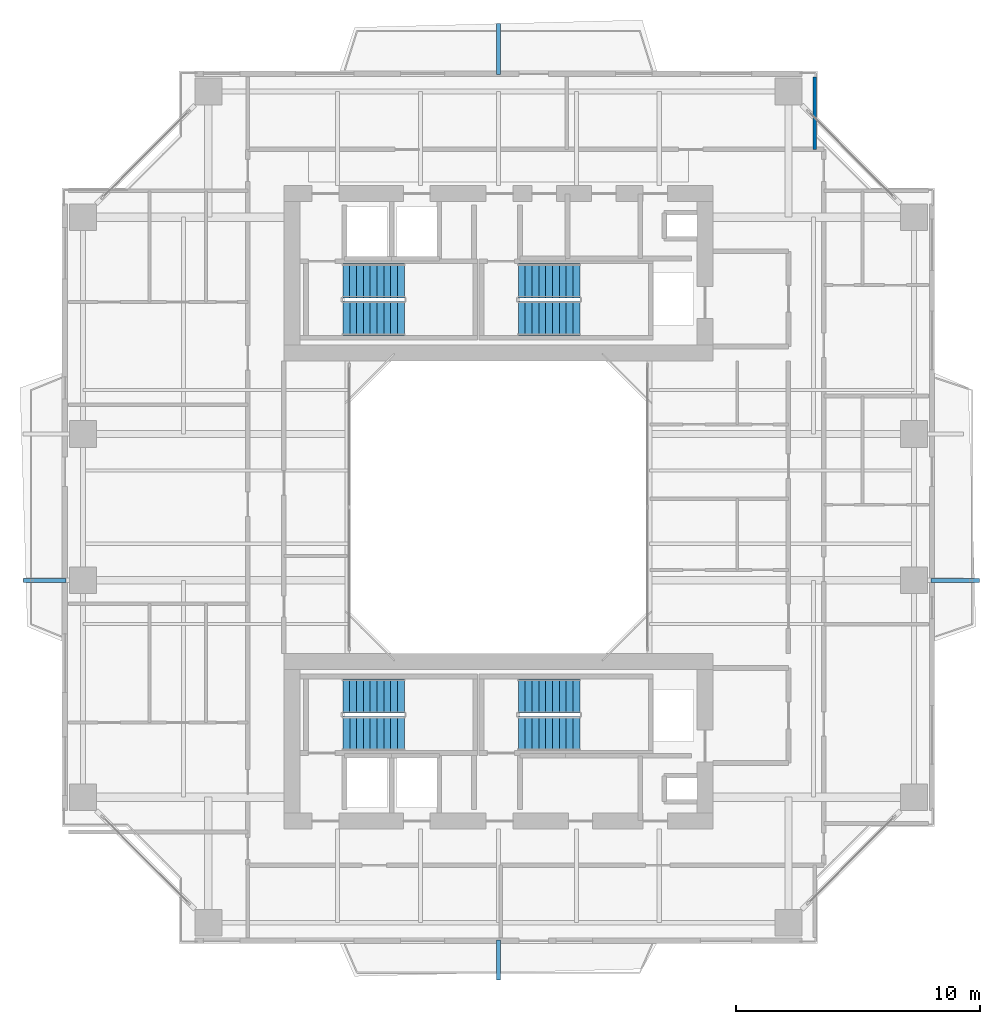
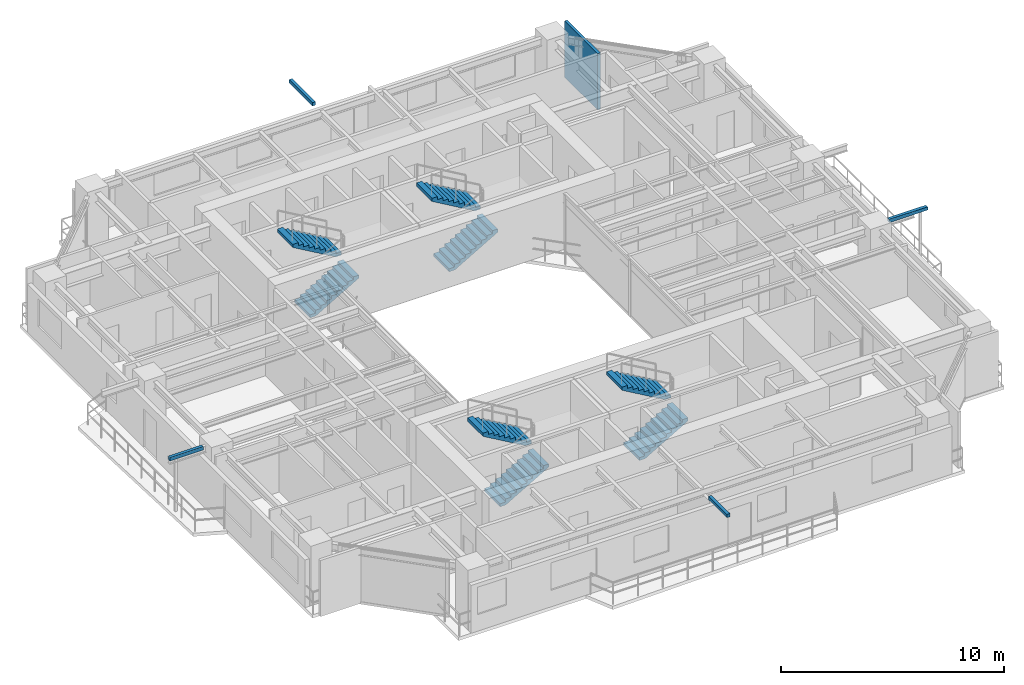
# One storey, part 14 of 17: 8 stair flights, 4 discrete accessories, 1 wall, 4 elements without a shape of their own.
"""IFC4 building model written with IfcOpenShell, lengths in metres."""

import ifcopenshell
import ifcopenshell.guid

model = None  # the IFC model being written
_history = None  # IfcOwnerHistory: only IFC2X3 demands one
_inside = {}  # id of a spatial element -> (the spatial element, [elements in it])
_under = {}  # id of a project, library or spatial element -> (it, [spatial elements below it])
_declared = {}  # id of a project -> (the project, [libraries it declares])
_typed = {}  # id of a type object -> (the type object, [elements of that type])
_made_of = {}  # id of a material, layer set ... -> (it, [elements and type objects made of it])


def new_model(schema):
    """Start an empty IFC model of exactly this schema.

    Asked for "IFC4X3", IfcOpenShell would pick the latest addendum, in which some entities
    have other attributes; the version numbers below select the first issue.
    IFC2X3 requires an IfcOwnerHistory on every rooted entity: one is made here for all.
    """
    global model, _history
    if schema == "IFC4X3":
        model = ifcopenshell.file(schema_version=(4, 3, 0, 0))
    else:
        model = ifcopenshell.file(schema=schema)
    _inside.clear()
    _under.clear()
    _declared.clear()
    _typed.clear()
    _made_of.clear()
    _history = None
    if model.schema == "IFC2X3":
        org = make("IfcOrganization", Name="unknown")
        user = make(
            "IfcPersonAndOrganization",
            ThePerson=make("IfcPerson", FamilyName="unknown"),
            TheOrganization=org,
        )
        app = make(
            "IfcApplication",
            ApplicationDeveloper=org,
            Version="unknown",
            ApplicationFullName="unknown",
            ApplicationIdentifier="unknown",
        )
        _history = make(
            "IfcOwnerHistory",
            OwningUser=user,
            OwningApplication=app,
            ChangeAction="ADDED",
            CreationDate=0,
        )
    return model


def make(cls, **values):
    """One entity of the class cls with the attributes given. An attribute that is None is left unset."""
    return model.create_entity(
        cls, **{name: value for name, value in values.items() if value is not None}
    )


def rooted(cls, **values):
    """An entity with a GlobalId (a new one), such as an element, a storey or a relation."""
    return make(cls, GlobalId=ifcopenshell.guid.new(), OwnerHistory=_history, **values)


def si_unit(unit_type, name, prefix=None):
    """IfcSIUnit, for example si_unit("LENGTHUNIT", "METRE", prefix="MILLI")."""
    return make("IfcSIUnit", UnitType=unit_type, Prefix=prefix, Name=name)


def assignment(units):
    """IfcUnitAssignment: the units of a project."""
    return None if units is None else make("IfcUnitAssignment", Units=units)


def point(xyz):
    """IfcCartesianPoint."""
    return None if xyz is None else make("IfcCartesianPoint", Coordinates=xyz)


def direction(xyz):
    """IfcDirection."""
    return None if xyz is None else make("IfcDirection", DirectionRatios=xyz)


def frame(location, z_axis=None, x_axis=None):
    """IfcAxis2Placement3D, a coordinate frame: its origin and axes. An axis left out is left unset."""
    return make(
        "IfcAxis2Placement3D",
        Location=point(location),
        Axis=direction(z_axis),
        RefDirection=direction(x_axis),
    )


def frame_2d(location, x_axis=None):
    """IfcAxis2Placement2D, a coordinate frame in the plane: its origin and x axis."""
    return make(
        "IfcAxis2Placement2D", Location=point(location), RefDirection=direction(x_axis)
    )


def origin():
    """The frame at (0, 0, 0) with its axes left unset."""
    return frame((0.0, 0.0, 0.0))


def origin_2d():
    """The frame at (0, 0) in the plane with its x axis left unset."""
    return frame_2d((0.0, 0.0))


def place(relative_to, where):
    """IfcLocalPlacement: puts the frame where relative to a parent placement (None: the world)."""
    return make(
        "IfcLocalPlacement", PlacementRelTo=relative_to, RelativePlacement=where
    )


def context(
    kind, dimensions, precision=None, world=None, true_north=None, identifier=None
):
    """IfcGeometricRepresentationContext, for example the 3D "Model" context."""
    return make(
        "IfcGeometricRepresentationContext",
        ContextIdentifier=identifier,
        ContextType=kind,
        CoordinateSpaceDimension=dimensions,
        Precision=precision,
        WorldCoordinateSystem=world,
        TrueNorth=true_north,
    )


def subcontext(parent, identifier, kind, view, scale=None):
    """IfcGeometricRepresentationSubContext, for example "Body" below "Model"."""
    return make(
        "IfcGeometricRepresentationSubContext",
        ContextIdentifier=identifier,
        ContextType=kind,
        ParentContext=parent,
        TargetScale=scale,
        TargetView=view,
    )


def project(units=None, contexts=None):
    """IfcProject with its units and contexts."""
    return rooted(
        "IfcProject",
        Name="project",
        RepresentationContexts=contexts,
        UnitsInContext=assignment(units),
    )


def spatial(cls, under=None, at=None, **own):
    """A site, building, storey or space (cls), placed at a placement, below another one or the project."""
    s = rooted(cls, ObjectPlacement=at, **own)
    if under is not None:
        _under.setdefault(under.id(), (under, []))[1].append(s)
    return s


def polyline(points):
    """IfcPolyline through the points."""
    return make("IfcPolyline", Points=[point(p) for p in points])


def profile(cls, at=None, kind="AREA", **sizes):
    """A parametric profile (cls). Its sizes go by their IFC names, for example OverallWidth=200.0."""
    return make(cls, ProfileType=kind, Position=at, **sizes)


def rectangle(**sizes):
    """IfcRectangleProfileDef."""
    return profile("IfcRectangleProfileDef", **sizes)


def outline(outer, holes=None, kind="AREA"):
    """IfcArbitraryClosedProfileDef: a profile drawn as a closed curve; with holes, ...WithVoids."""
    if holes is None:
        return make("IfcArbitraryClosedProfileDef", ProfileType=kind, OuterCurve=outer)
    return make(
        "IfcArbitraryProfileDefWithVoids",
        ProfileType=kind,
        OuterCurve=outer,
        InnerCurves=holes,
    )


def extrude(swept, where, along, depth):
    """IfcExtrudedAreaSolid: the profile swept, set in the frame where, extruded along a direction by depth."""
    return make(
        "IfcExtrudedAreaSolid",
        SweptArea=swept,
        Position=where,
        ExtrudedDirection=direction(along),
        Depth=depth,
    )


def shape(context_of_items, identifier, shape_type, items):
    """IfcShapeRepresentation: the items that make up one representation, for example the "Body"."""
    return make(
        "IfcShapeRepresentation",
        ContextOfItems=context_of_items,
        RepresentationIdentifier=identifier,
        RepresentationType=shape_type,
        Items=items,
    )


def source(mapping_origin, context_of_items, identifier, shape_type, items):
    """IfcRepresentationMap: a shape defined once, which mapped items show again and again."""
    return make(
        "IfcRepresentationMap",
        MappingOrigin=mapping_origin,
        MappedRepresentation=shape(context_of_items, identifier, shape_type, items),
    )


def transform(
    local_origin,
    x_axis=None,
    y_axis=None,
    z_axis=None,
    scale=None,
    scale2=None,
    scale3=None,
    uniform=True,
):
    """IfcCartesianTransformationOperator3D, or its non-uniform kind. x_axis, y_axis, z_axis: its Axis1, 2, 3."""
    if uniform:
        return make(
            "IfcCartesianTransformationOperator3D",
            Axis1=direction(x_axis),
            Axis2=direction(y_axis),
            LocalOrigin=point(local_origin),
            Scale=scale,
            Axis3=direction(z_axis),
        )
    return make(
        "IfcCartesianTransformationOperator3DnonUniform",
        Axis1=direction(x_axis),
        Axis2=direction(y_axis),
        LocalOrigin=point(local_origin),
        Scale=scale,
        Axis3=direction(z_axis),
        Scale2=scale2,
        Scale3=scale3,
    )


def mapped(mapping_source, mapping_target):
    """IfcMappedItem: shows the shape of a source again, moved by a transform."""
    return make(
        "IfcMappedItem", MappingSource=mapping_source, MappingTarget=mapping_target
    )


def material(Name=None, Category=None):
    """IfcMaterial."""
    return make("IfcMaterial", Name=Name, Category=Category)


def layer(
    of_material, thickness, ventilated=None, Name=None, Category=None, Priority=None
):
    """IfcMaterialLayer: one layer of a wall or slab, of a material (None: an air gap)."""
    return make(
        "IfcMaterialLayer",
        Material=of_material,
        LayerThickness=thickness,
        IsVentilated=ventilated,
        Name=Name,
        Category=Category,
        Priority=Priority,
    )


def layer_set(layers, Name=None):
    """IfcMaterialLayerSet."""
    return make("IfcMaterialLayerSet", MaterialLayers=layers, LayerSetName=Name)


def made_of(thing, what):
    """Note that an element or type object is made of a material, layer set ...; save() writes the relation."""
    if what is not None:
        _made_of.setdefault(what.id(), (what, []))[1].append(thing)
    return thing


def type_object(cls, material=None, **own):
    """A type object (cls), such as IfcWallType, which elements share."""
    return made_of(rooted(cls, **own), material)


def element(
    cls,
    number,
    at=None,
    inside=None,
    cuts=None,
    type_object=None,
    material=None,
    context=None,
    identifier="Body",
    shape_type=None,
    held_by="IfcProductDefinitionShape",
    body=None,
    shapes=None,
    **own,
):
    """One element of the class cls, such as IfcWall. Its Tag is "e" and its number.

    at: its placement. inside: the storey or other place that contains it. cuts: it is an
    opening in that element (IfcRelVoidsElement). A single representation is given by context,
    identifier, shape_type and body (its items); several are given by shapes. held_by: the class
    of the entity that holds the representations. save() writes the other relations.
    """
    e = rooted(cls, Tag="e%d" % number, ObjectPlacement=at, **own)
    if body is not None:
        shapes = [shape(context, identifier, shape_type, body)]
    if shapes is not None:
        e.Representation = make(held_by, Representations=shapes)
    if inside is not None:
        _inside.setdefault(inside.id(), (inside, []))[1].append(e)
    if cuts is not None:
        rooted(
            "IfcRelVoidsElement", RelatingBuildingElement=cuts, RelatedOpeningElement=e
        )
    if type_object is not None:
        _typed.setdefault(type_object.id(), (type_object, []))[1].append(e)
    return made_of(e, material)


def aggregate(whole, parts):
    """IfcRelAggregates: a whole, such as a stair, and the parts it consists of."""
    return rooted("IfcRelAggregates", RelatingObject=whole, RelatedObjects=parts)


def save(model, path):
    """Write the relations noted so far, then the file.

    IfcRelAggregates (storeys below a building ...), IfcRelContainedInSpatialStructure (elements
    in a storey), IfcRelDefinesByType, IfcRelAssociatesMaterial and IfcRelDeclares: one each for
    every whole, place, type object, material and project.
    """
    for whole, parts in _under.values():
        aggregate(whole, parts)
    for where, things in _inside.values():
        rooted(
            "IfcRelContainedInSpatialStructure",
            RelatedElements=things,
            RelatingStructure=where,
        )
    for kind, things in _typed.values():
        rooted("IfcRelDefinesByType", RelatedObjects=things, RelatingType=kind)
    for what, things in _made_of.values():
        rooted("IfcRelAssociatesMaterial", RelatedObjects=things, RelatingMaterial=what)
    for by, libraries in _declared.values():
        rooted("IfcRelDeclares", RelatingContext=by, RelatedDefinitions=libraries)
    model.write(path)


model = new_model("IFC4")

# Units and contexts
model_context = context("Model", 3, precision=1e-05, world=origin(), true_north=direction((0.0, 1.0)))
body_context = subcontext(model_context, "Body", "Model", "MODEL_VIEW")
ifc_project = project(units=[si_unit("LENGTHUNIT", "METRE"), si_unit("AREAUNIT", "SQUARE_METRE"), si_unit("VOLUMEUNIT", "CUBIC_METRE"), si_unit("PLANEANGLEUNIT", "RADIAN"), si_unit("MASSUNIT", "GRAM", prefix="KILO"), si_unit("THERMODYNAMICTEMPERATUREUNIT", "KELVIN"), si_unit("POWERUNIT", "WATT")], contexts=[model_context])

# Site, building, storey
site_placement = place(None, origin())
site = spatial("IfcSite", under=ifc_project, at=site_placement, CompositionType="ELEMENT")
building_placement = place(site_placement, origin())
building = spatial("IfcBuilding", under=site, at=building_placement, Name="Qiaomeng Ring Towers", CompositionType="ELEMENT")
storey_placement = place(building_placement, frame((0.0, 0.0, 126.25)))
storey = spatial("IfcBuildingStorey", under=building, at=storey_placement, Name="L36", CompositionType="ELEMENT", Elevation=126.25)

# Wall
ifc_material_1 = material(Name="Gypsum fireboard steel-stud partition", Category="steel")
ifc_layer = layer(ifc_material_1, 0.14990234375, Name="Gypsum fireboard steel-stud partition")
ifc_layer_set = layer_set([ifc_layer], Name="Gypsum fireboard steel-stud partition")
wall_type = type_object("IfcWallType", Name="ARC-WL-PW3", PredefinedType="PARTITIONING", material=ifc_layer_set)
wall_placement = place(storey_placement, frame((31.97998046875, 37.679931640625, 0.0), z_axis=(0.0, 0.0, 1.0), x_axis=(0.0, 1.0, 0.0)))
element("IfcWall", 1, at=wall_placement, inside=storey, type_object=wall_type, Name="L36 Interior Wall PW3", PredefinedType="PARTITIONING", context=body_context, shape_type="SweptSolid", body=[
    extrude(rectangle(XDim=2.969970703125, YDim=0.14990234375, at=frame_2d((1.48486328125, 0.0))), origin(), (0.0, 0.0, 1.0), 3.070068359375),
])

# Stair, stair flights
ifc_material_2 = material(Name="Precast concrete C40", Category="concrete")
stair_type = type_object("IfcStairType", Name="ARC-ST-325", PredefinedType="HALF_TURN_STAIR", material=ifc_material_2)
stair_1_placement = place(storey_placement, origin())
stair_1 = element("IfcStair", 2, at=stair_1_placement, inside=storey, type_object=stair_type, Name="L36 Tower 1 North Stair 1", PredefinedType="HALF_TURN_STAIR")
stair_flight_type = type_object("IfcStairFlightType", Name="ARC-ST-325-FL", PredefinedType="STRAIGHT", material=ifc_material_2)
shared_shape_1 = source(origin(), body_context, "Body", "SweptSolid", [
    extrude(outline(polyline([(0.0, 0.0), (0.0, 0.16259765625), (0.280029296875, 0.16259765625), (0.280029296875, 0.324951171875), (0.56005859375, 0.324951171875), (0.56005859375, 0.487548828125), (0.840087890625, 0.487548828125), (0.840087890625, 0.64990234375), (1.1201171875, 0.64990234375), (1.1201171875, 0.8125), (1.39990234375, 0.8125), (1.39990234375, 0.97509765625), (1.679931640625, 0.97509765625), (1.679931640625, 1.137451171875), (1.9599609375, 1.137451171875), (1.9599609375, 1.300048828125), (2.239990234375, 1.300048828125), (2.239990234375, 1.46240234375), (2.52001953125, 1.46240234375), (2.52001953125, 1.625), (2.52001953125, 1.2890625), (0.298583984375, 0.0), (0.0, 0.0)])), frame((0.0, 0.699951171875, 0.0), z_axis=(0.0, -1.0, 0.0), x_axis=(1.0, 0.0, 0.0)), (0.0, 0.0, 1.0), 1.39990234375),
])
stair_flight_1_placement = place(storey_placement, frame((12.6201171875, 30.75, 0.0), z_axis=(0.0, 0.0, 1.0), x_axis=(1.0, 0.0, 0.0)))
stair_flight_1 = element("IfcStairFlight", 3, at=stair_flight_1_placement, type_object=stair_flight_type, Name="ST1 flight 1", NumberOfRisers=10, NumberOfTreads=9, PredefinedType="STRAIGHT", RiserHeight=0.1625, TreadLength=0.28, context=body_context, shape_type="MappedRepresentation", body=[
    mapped(shared_shape_1, transform((0.0, 0.0, 0.0), x_axis=(1.0, 0.0, 0.0), y_axis=(0.0, 1.0, 0.0), z_axis=(0.0, 0.0, 1.0), scale=1.0)),
])
stair_flight_2_placement = place(storey_placement, frame((15.139892578125, 32.2900390625, 1.625), z_axis=(0.0, 0.0, 1.0), x_axis=(-1.0, 0.0, 0.0)))
stair_flight_2 = element("IfcStairFlight", 4, at=stair_flight_2_placement, type_object=stair_flight_type, Name="ST1 flight 2", NumberOfRisers=10, NumberOfTreads=9, PredefinedType="STRAIGHT", RiserHeight=0.1625, TreadLength=0.28, context=body_context, shape_type="MappedRepresentation", body=[
    mapped(shared_shape_1, transform((0.0, 0.0, 0.0), x_axis=(1.0, 0.0, 0.0), y_axis=(0.0, 1.0, 0.0), z_axis=(0.0, 0.0, 1.0), scale=1.0)),
])
aggregate(stair_1, [stair_flight_1, stair_flight_2])

stair_2_placement = place(storey_placement, origin())
stair_2 = element("IfcStair", 5, at=stair_2_placement, inside=storey, type_object=stair_type, Name="L36 Tower 1 North Stair 2", PredefinedType="HALF_TURN_STAIR")
stair_flight_3_placement = place(storey_placement, frame((19.820068359375, 30.75, 0.0), z_axis=(0.0, 0.0, 1.0), x_axis=(1.0, 0.0, 0.0)))
stair_flight_3 = element("IfcStairFlight", 6, at=stair_flight_3_placement, type_object=stair_flight_type, Name="ST2 flight 1", NumberOfRisers=10, NumberOfTreads=9, PredefinedType="STRAIGHT", RiserHeight=0.1625, TreadLength=0.28, context=body_context, shape_type="MappedRepresentation", body=[
    mapped(shared_shape_1, transform((0.0, 0.0, 0.0), x_axis=(1.0, 0.0, 0.0), y_axis=(0.0, 1.0, 0.0), z_axis=(0.0, 0.0, 1.0), scale=1.0)),
])
stair_flight_4_placement = place(storey_placement, frame((22.340087890625, 32.2900390625, 1.625), z_axis=(0.0, 0.0, 1.0), x_axis=(-1.0, 0.0, 0.0)))
stair_flight_4 = element("IfcStairFlight", 7, at=stair_flight_4_placement, type_object=stair_flight_type, Name="ST2 flight 2", NumberOfRisers=10, NumberOfTreads=9, PredefinedType="STRAIGHT", RiserHeight=0.1625, TreadLength=0.28, context=body_context, shape_type="MappedRepresentation", body=[
    mapped(shared_shape_1, transform((0.0, 0.0, 0.0), x_axis=(1.0, 0.0, 0.0), y_axis=(0.0, 1.0, 0.0), z_axis=(0.0, 0.0, 1.0), scale=1.0)),
])
aggregate(stair_2, [stair_flight_3, stair_flight_4])

stair_3_placement = place(storey_placement, origin())
stair_3 = element("IfcStair", 8, at=stair_3_placement, inside=storey, type_object=stair_type, Name="L36 Tower 1 South Stair 3", PredefinedType="HALF_TURN_STAIR")
stair_flight_5_placement = place(storey_placement, frame((12.6201171875, 13.7099609375, 0.0), z_axis=(0.0, 0.0, 1.0), x_axis=(1.0, 0.0, 0.0)))
stair_flight_5 = element("IfcStairFlight", 9, at=stair_flight_5_placement, type_object=stair_flight_type, Name="ST3 flight 1", NumberOfRisers=10, NumberOfTreads=9, PredefinedType="STRAIGHT", RiserHeight=0.1625, TreadLength=0.28, context=body_context, shape_type="MappedRepresentation", body=[
    mapped(shared_shape_1, transform((0.0, 0.0, 0.0), x_axis=(1.0, 0.0, 0.0), y_axis=(0.0, 1.0, 0.0), z_axis=(0.0, 0.0, 1.0), scale=1.0)),
])
stair_flight_6_placement = place(storey_placement, frame((15.139892578125, 15.25, 1.625), z_axis=(0.0, 0.0, 1.0), x_axis=(-1.0, 0.0, 0.0)))
stair_flight_6 = element("IfcStairFlight", 10, at=stair_flight_6_placement, type_object=stair_flight_type, Name="ST3 flight 2", NumberOfRisers=10, NumberOfTreads=9, PredefinedType="STRAIGHT", RiserHeight=0.1625, TreadLength=0.28, context=body_context, shape_type="MappedRepresentation", body=[
    mapped(shared_shape_1, transform((0.0, 0.0, 0.0), x_axis=(1.0, 0.0, 0.0), y_axis=(0.0, 1.0, 0.0), z_axis=(0.0, 0.0, 1.0), scale=1.0)),
])
aggregate(stair_3, [stair_flight_5, stair_flight_6])

stair_4_placement = place(storey_placement, origin())
stair_4 = element("IfcStair", 11, at=stair_4_placement, inside=storey, type_object=stair_type, Name="L36 Tower 1 South Stair 4", PredefinedType="HALF_TURN_STAIR")
stair_flight_7_placement = place(storey_placement, frame((19.820068359375, 13.7099609375, 0.0), z_axis=(0.0, 0.0, 1.0), x_axis=(1.0, 0.0, 0.0)))
stair_flight_7 = element("IfcStairFlight", 12, at=stair_flight_7_placement, type_object=stair_flight_type, Name="ST4 flight 1", NumberOfRisers=10, NumberOfTreads=9, PredefinedType="STRAIGHT", RiserHeight=0.1625, TreadLength=0.28, context=body_context, shape_type="MappedRepresentation", body=[
    mapped(shared_shape_1, transform((0.0, 0.0, 0.0), x_axis=(1.0, 0.0, 0.0), y_axis=(0.0, 1.0, 0.0), z_axis=(0.0, 0.0, 1.0), scale=1.0)),
])
stair_flight_8_placement = place(storey_placement, frame((22.340087890625, 15.25, 1.625), z_axis=(0.0, 0.0, 1.0), x_axis=(-1.0, 0.0, 0.0)))
stair_flight_8 = element("IfcStairFlight", 13, at=stair_flight_8_placement, type_object=stair_flight_type, Name="ST4 flight 2", NumberOfRisers=10, NumberOfTreads=9, PredefinedType="STRAIGHT", RiserHeight=0.1625, TreadLength=0.28, context=body_context, shape_type="MappedRepresentation", body=[
    mapped(shared_shape_1, transform((0.0, 0.0, 0.0), x_axis=(1.0, 0.0, 0.0), y_axis=(0.0, 1.0, 0.0), z_axis=(0.0, 0.0, 1.0), scale=1.0)),
])
aggregate(stair_4, [stair_flight_7, stair_flight_8])

# Discrete accessories
ifc_material_3 = material(Name="Stainless steel 316", Category="steel")
discrete_accessory_type = type_object("IfcDiscreteAccessoryType", Name="ARC-ACC-BRACKET", PredefinedType="BRACKET", material=ifc_material_3)
shared_shape_2 = source(origin(), body_context, "Body", "SweptSolid", [
    extrude(rectangle(XDim=0.159912109375, YDim=1.64990234375, at=origin_2d()), origin(), (0.0, 0.0, 1.0), 0.179931640625),
])
discrete_accessory_1_placement = place(storey_placement, frame((19.0, 4.425048828125, 2.89990234375), z_axis=(0.0, 0.0, 1.0), x_axis=(1.0, 0.0, 0.0)))
element("IfcDiscreteAccessory", 14, at=discrete_accessory_1_placement, inside=storey, type_object=discrete_accessory_type, Name="L36 Stainless Outer-Skin Tie Bracket S", PredefinedType="BRACKET", context=body_context, shape_type="MappedRepresentation", body=[
    mapped(shared_shape_2, transform((0.0, 0.0, 0.0), x_axis=(1.0, 0.0, 0.0), y_axis=(0.0, 1.0, 0.0), z_axis=(0.0, 0.0, 1.0), scale=1.0)),
])
shared_shape_3 = source(origin(), body_context, "Body", "SweptSolid", [
    extrude(rectangle(XDim=1.989990234375, YDim=0.159912109375, at=origin_2d()), origin(), (0.0, 0.0, 1.0), 0.179931640625),
])
discrete_accessory_2_placement = place(storey_placement, frame((37.7451171875, 20.0, 2.89990234375), z_axis=(0.0, 0.0, 1.0), x_axis=(1.0, 0.0, 0.0)))
element("IfcDiscreteAccessory", 15, at=discrete_accessory_2_placement, inside=storey, type_object=discrete_accessory_type, Name="L36 Stainless Outer-Skin Tie Bracket E", PredefinedType="BRACKET", context=body_context, shape_type="MappedRepresentation", body=[
    mapped(shared_shape_3, transform((0.0, 0.0, 0.0), x_axis=(1.0, 0.0, 0.0), y_axis=(0.0, 1.0, 0.0), z_axis=(0.0, 0.0, 1.0), scale=1.0)),
])
shared_shape_4 = source(origin(), body_context, "Body", "SweptSolid", [
    extrude(rectangle(XDim=0.159912109375, YDim=2.090087890625, at=origin_2d()), origin(), (0.0, 0.0, 1.0), 0.179931640625),
])
discrete_accessory_3_placement = place(storey_placement, frame((19.0, 41.794921875, 2.89990234375), z_axis=(0.0, 0.0, 1.0), x_axis=(1.0, 0.0, 0.0)))
element("IfcDiscreteAccessory", 16, at=discrete_accessory_3_placement, inside=storey, type_object=discrete_accessory_type, Name="L36 Stainless Outer-Skin Tie Bracket N", PredefinedType="BRACKET", context=body_context, shape_type="MappedRepresentation", body=[
    mapped(shared_shape_4, transform((0.0, 0.0, 0.0), x_axis=(1.0, 0.0, 0.0), y_axis=(0.0, 1.0, 0.0), z_axis=(0.0, 0.0, 1.0), scale=1.0)),
])
shared_shape_5 = source(origin(), body_context, "Body", "SweptSolid", [
    extrude(rectangle(XDim=1.72998046875, YDim=0.159912109375, at=origin_2d()), origin(), (0.0, 0.0, 1.0), 0.179931640625),
])
discrete_accessory_4_placement = place(storey_placement, frame((0.385009765625, 20.0, 2.89990234375), z_axis=(0.0, 0.0, 1.0), x_axis=(1.0, 0.0, 0.0)))
element("IfcDiscreteAccessory", 17, at=discrete_accessory_4_placement, inside=storey, type_object=discrete_accessory_type, Name="L36 Stainless Outer-Skin Tie Bracket W", PredefinedType="BRACKET", context=body_context, shape_type="MappedRepresentation", body=[
    mapped(shared_shape_5, transform((0.0, 0.0, 0.0), x_axis=(1.0, 0.0, 0.0), y_axis=(0.0, 1.0, 0.0), z_axis=(0.0, 0.0, 1.0), scale=1.0)),
])

save(model, "model.ifc")
